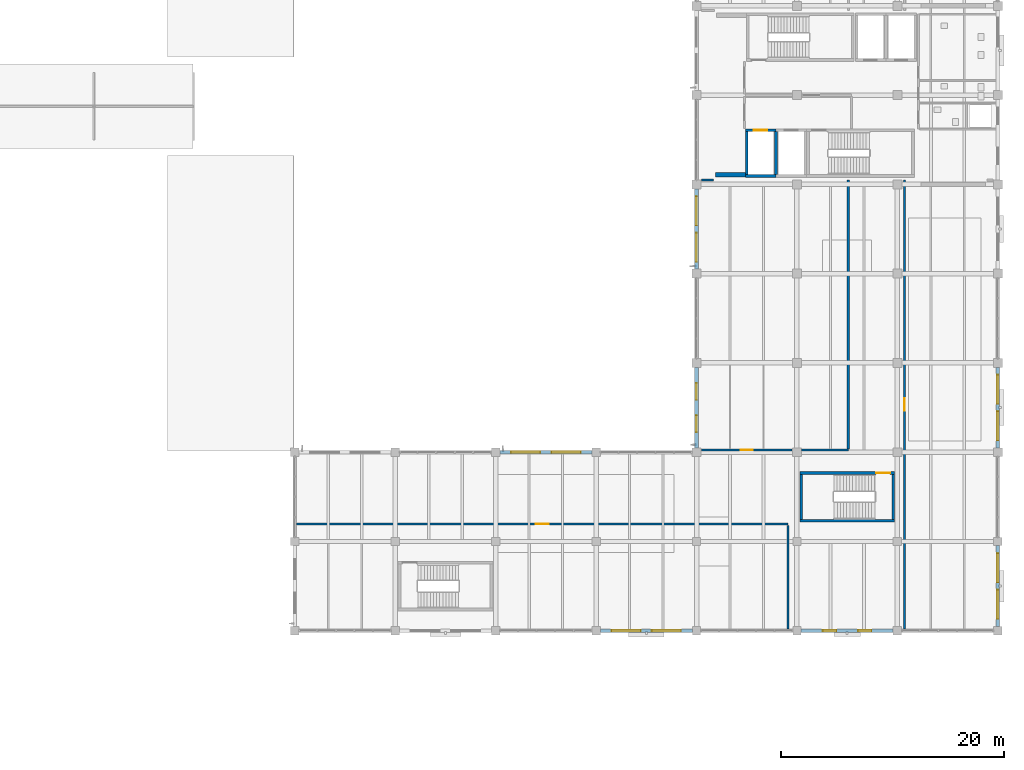
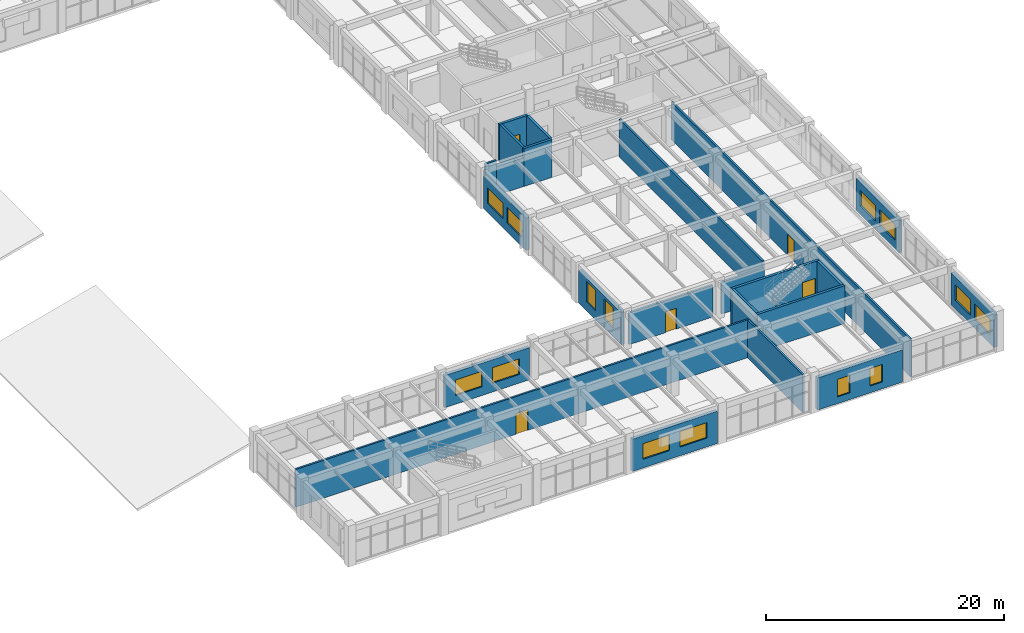
# One storey, part 128 of 148: 23 walls, 14 windows, 5 doors, 19 openings.
"""IFC4 building model written with IfcOpenShell, lengths in metres."""

import ifcopenshell
import ifcopenshell.guid

model = None  # the IFC model being written
_history = None  # IfcOwnerHistory: only IFC2X3 demands one
_inside = {}  # id of a spatial element -> (the spatial element, [elements in it])
_under = {}  # id of a project, library or spatial element -> (it, [spatial elements below it])
_declared = {}  # id of a project -> (the project, [libraries it declares])
_typed = {}  # id of a type object -> (the type object, [elements of that type])
_made_of = {}  # id of a material, layer set ... -> (it, [elements and type objects made of it])


def new_model(schema):
    """Start an empty IFC model of exactly this schema.

    Asked for "IFC4X3", IfcOpenShell would pick the latest addendum, in which some entities
    have other attributes; the version numbers below select the first issue.
    IFC2X3 requires an IfcOwnerHistory on every rooted entity: one is made here for all.
    """
    global model, _history
    if schema == "IFC4X3":
        model = ifcopenshell.file(schema_version=(4, 3, 0, 0))
    else:
        model = ifcopenshell.file(schema=schema)
    _inside.clear()
    _under.clear()
    _declared.clear()
    _typed.clear()
    _made_of.clear()
    _history = None
    if model.schema == "IFC2X3":
        org = make("IfcOrganization", Name="unknown")
        user = make(
            "IfcPersonAndOrganization",
            ThePerson=make("IfcPerson", FamilyName="unknown"),
            TheOrganization=org,
        )
        app = make(
            "IfcApplication",
            ApplicationDeveloper=org,
            Version="unknown",
            ApplicationFullName="unknown",
            ApplicationIdentifier="unknown",
        )
        _history = make(
            "IfcOwnerHistory",
            OwningUser=user,
            OwningApplication=app,
            ChangeAction="ADDED",
            CreationDate=0,
        )
    return model


def make(cls, **values):
    """One entity of the class cls with the attributes given. An attribute that is None is left unset."""
    return model.create_entity(
        cls, **{name: value for name, value in values.items() if value is not None}
    )


def rooted(cls, **values):
    """An entity with a GlobalId (a new one), such as an element, a storey or a relation."""
    return make(cls, GlobalId=ifcopenshell.guid.new(), OwnerHistory=_history, **values)


def si_unit(unit_type, name, prefix=None):
    """IfcSIUnit, for example si_unit("LENGTHUNIT", "METRE", prefix="MILLI")."""
    return make("IfcSIUnit", UnitType=unit_type, Prefix=prefix, Name=name)


def derived_unit(unit_type, elements):
    """IfcDerivedUnit: a product of units, each with its exponent."""
    return make(
        "IfcDerivedUnit",
        Elements=[
            make("IfcDerivedUnitElement", Unit=unit, Exponent=power)
            for unit, power in elements
        ],
        UnitType=unit_type,
    )


def assignment(units):
    """IfcUnitAssignment: the units of a project."""
    return None if units is None else make("IfcUnitAssignment", Units=units)


def point(xyz):
    """IfcCartesianPoint."""
    return None if xyz is None else make("IfcCartesianPoint", Coordinates=xyz)


def direction(xyz):
    """IfcDirection."""
    return None if xyz is None else make("IfcDirection", DirectionRatios=xyz)


def frame(location, z_axis=None, x_axis=None):
    """IfcAxis2Placement3D, a coordinate frame: its origin and axes. An axis left out is left unset."""
    return make(
        "IfcAxis2Placement3D",
        Location=point(location),
        Axis=direction(z_axis),
        RefDirection=direction(x_axis),
    )


def frame_2d(location, x_axis=None):
    """IfcAxis2Placement2D, a coordinate frame in the plane: its origin and x axis."""
    return make(
        "IfcAxis2Placement2D", Location=point(location), RefDirection=direction(x_axis)
    )


def origin():
    """The frame at (0, 0, 0) with its axes left unset."""
    return frame((0.0, 0.0, 0.0))


def place(relative_to, where):
    """IfcLocalPlacement: puts the frame where relative to a parent placement (None: the world)."""
    return make(
        "IfcLocalPlacement", PlacementRelTo=relative_to, RelativePlacement=where
    )


def context(
    kind, dimensions, precision=None, world=None, true_north=None, identifier=None
):
    """IfcGeometricRepresentationContext, for example the 3D "Model" context."""
    return make(
        "IfcGeometricRepresentationContext",
        ContextIdentifier=identifier,
        ContextType=kind,
        CoordinateSpaceDimension=dimensions,
        Precision=precision,
        WorldCoordinateSystem=world,
        TrueNorth=true_north,
    )


def subcontext(parent, identifier, kind, view, scale=None):
    """IfcGeometricRepresentationSubContext, for example "Body" below "Model"."""
    return make(
        "IfcGeometricRepresentationSubContext",
        ContextIdentifier=identifier,
        ContextType=kind,
        ParentContext=parent,
        TargetScale=scale,
        TargetView=view,
    )


def project(units=None, contexts=None):
    """IfcProject with its units and contexts."""
    return rooted(
        "IfcProject",
        Name="project",
        RepresentationContexts=contexts,
        UnitsInContext=assignment(units),
    )


def spatial(cls, under=None, at=None, **own):
    """A site, building, storey or space (cls), placed at a placement, below another one or the project."""
    s = rooted(cls, ObjectPlacement=at, **own)
    if under is not None:
        _under.setdefault(under.id(), (under, []))[1].append(s)
    return s


def profile(cls, at=None, kind="AREA", **sizes):
    """A parametric profile (cls). Its sizes go by their IFC names, for example OverallWidth=200.0."""
    return make(cls, ProfileType=kind, Position=at, **sizes)


def rectangle(**sizes):
    """IfcRectangleProfileDef."""
    return profile("IfcRectangleProfileDef", **sizes)


def extrude(swept, where, along, depth):
    """IfcExtrudedAreaSolid: the profile swept, set in the frame where, extruded along a direction by depth."""
    return make(
        "IfcExtrudedAreaSolid",
        SweptArea=swept,
        Position=where,
        ExtrudedDirection=direction(along),
        Depth=depth,
    )


def shape(context_of_items, identifier, shape_type, items):
    """IfcShapeRepresentation: the items that make up one representation, for example the "Body"."""
    return make(
        "IfcShapeRepresentation",
        ContextOfItems=context_of_items,
        RepresentationIdentifier=identifier,
        RepresentationType=shape_type,
        Items=items,
    )


def material(Name=None, Category=None):
    """IfcMaterial."""
    return make("IfcMaterial", Name=Name, Category=Category)


def layer(
    of_material, thickness, ventilated=None, Name=None, Category=None, Priority=None
):
    """IfcMaterialLayer: one layer of a wall or slab, of a material (None: an air gap)."""
    return make(
        "IfcMaterialLayer",
        Material=of_material,
        LayerThickness=thickness,
        IsVentilated=ventilated,
        Name=Name,
        Category=Category,
        Priority=Priority,
    )


def layer_set(layers, Name=None):
    """IfcMaterialLayerSet."""
    return make("IfcMaterialLayerSet", MaterialLayers=layers, LayerSetName=Name)


def made_of(thing, what):
    """Note that an element or type object is made of a material, layer set ...; save() writes the relation."""
    if what is not None:
        _made_of.setdefault(what.id(), (what, []))[1].append(thing)
    return thing


def type_object(cls, material=None, **own):
    """A type object (cls), such as IfcWallType, which elements share."""
    return made_of(rooted(cls, **own), material)


def element(
    cls,
    number,
    at=None,
    inside=None,
    cuts=None,
    type_object=None,
    material=None,
    context=None,
    identifier="Body",
    shape_type=None,
    held_by="IfcProductDefinitionShape",
    body=None,
    shapes=None,
    **own,
):
    """One element of the class cls, such as IfcWall. Its Tag is "e" and its number.

    at: its placement. inside: the storey or other place that contains it. cuts: it is an
    opening in that element (IfcRelVoidsElement). A single representation is given by context,
    identifier, shape_type and body (its items); several are given by shapes. held_by: the class
    of the entity that holds the representations. save() writes the other relations.
    """
    e = rooted(cls, Tag="e%d" % number, ObjectPlacement=at, **own)
    if body is not None:
        shapes = [shape(context, identifier, shape_type, body)]
    if shapes is not None:
        e.Representation = make(held_by, Representations=shapes)
    if inside is not None:
        _inside.setdefault(inside.id(), (inside, []))[1].append(e)
    if cuts is not None:
        rooted(
            "IfcRelVoidsElement", RelatingBuildingElement=cuts, RelatedOpeningElement=e
        )
    if type_object is not None:
        _typed.setdefault(type_object.id(), (type_object, []))[1].append(e)
    return made_of(e, material)


def fill(opening, filler):
    """IfcRelFillsElement: the door or window that sits in an opening."""
    return rooted(
        "IfcRelFillsElement",
        RelatingOpeningElement=opening,
        RelatedBuildingElement=filler,
    )


def aggregate(whole, parts):
    """IfcRelAggregates: a whole, such as a stair, and the parts it consists of."""
    return rooted("IfcRelAggregates", RelatingObject=whole, RelatedObjects=parts)


def save(model, path):
    """Write the relations noted so far, then the file.

    IfcRelAggregates (storeys below a building ...), IfcRelContainedInSpatialStructure (elements
    in a storey), IfcRelDefinesByType, IfcRelAssociatesMaterial and IfcRelDeclares: one each for
    every whole, place, type object, material and project.
    """
    for whole, parts in _under.values():
        aggregate(whole, parts)
    for where, things in _inside.values():
        rooted(
            "IfcRelContainedInSpatialStructure",
            RelatedElements=things,
            RelatingStructure=where,
        )
    for kind, things in _typed.values():
        rooted("IfcRelDefinesByType", RelatedObjects=things, RelatingType=kind)
    for what, things in _made_of.values():
        rooted("IfcRelAssociatesMaterial", RelatedObjects=things, RelatingMaterial=what)
    for by, libraries in _declared.values():
        rooted("IfcRelDeclares", RelatingContext=by, RelatedDefinitions=libraries)
    model.write(path)


model = new_model("IFC4")

# Units and contexts
model_context = context("Model", 3, precision=1e-05, world=origin(), true_north=direction((0.0, 1.0)))
body_context = subcontext(model_context, "Body", "Model", "MODEL_VIEW")
ifc_project = project(units=[si_unit("LENGTHUNIT", "METRE"), si_unit("AREAUNIT", "SQUARE_METRE"), si_unit("VOLUMEUNIT", "CUBIC_METRE"), si_unit("PLANEANGLEUNIT", "RADIAN"), si_unit("MASSUNIT", "GRAM", prefix="KILO"), derived_unit("THERMALTRANSMITTANCEUNIT", [(si_unit("MASSUNIT", "GRAM", prefix="KILO"), 1), (si_unit("TIMEUNIT", "SECOND"), -3), (si_unit("THERMODYNAMICTEMPERATUREUNIT", "KELVIN"), -1)])], contexts=[model_context])

# Site, building, storey
site_placement = place(None, origin())
site = spatial("IfcSite", under=ifc_project, at=site_placement, CompositionType="ELEMENT")
building_placement = place(site_placement, origin())
building = spatial("IfcBuilding", under=site, at=building_placement, Name="Zhenchuan Archway Interchange", CompositionType="ELEMENT")
storey_placement = place(building_placement, frame((0.0, 0.0, 10.199951171875)))
storey = spatial("IfcBuildingStorey", under=building, at=storey_placement, Name="L02", CompositionType="ELEMENT", Elevation=10.199951171875)

# Wall, openings, windows
ifc_material_1 = material(Name="Granite Stone Cladding", Category="masonry")
ifc_layer_1 = layer(ifc_material_1, 0.320068359375)
ifc_layer_set_1 = layer_set([ifc_layer_1], Name="Granite Stone Cladding")
wall_type_1 = type_object("IfcWallType", Name="EW_GRANITE_320", PredefinedType="STANDARD", material=ifc_layer_set_1)
wall_1_placement = place(storey_placement, frame((171.0, 31.60205078125, 0.0), z_axis=(0.0, 0.0, 1.0), x_axis=(0.0, -1.0, 0.0)))
wall_1 = element("IfcWall", 1, at=wall_1_placement, inside=storey, type_object=wall_type_1, Name="Exterior wall L02-095", PredefinedType="STANDARD", context=body_context, shape_type="SweptSolid", body=[
    extrude(rectangle(XDim=7.2041015625, YDim=0.320068359375, at=frame_2d((3.60205078125, 0.0))), origin(), (0.0, 0.0, 1.0), 3.320068359375),
])
opening_1_placement = place(wall_1_placement, frame((0.66796875, 0.0, 0.89990234375)))
opening_1 = element("IfcOpeningElement", 2, at=opening_1_placement, cuts=wall_1, Name="Opening W-09", PredefinedType="OPENING", context=body_context, shape_type="SweptSolid", body=[
    extrude(rectangle(XDim=2.60009765625, YDim=1.60009765625, at=frame_2d((1.300048828125, 0.800048828125))), frame((0.0, 0.171875, 0.0), z_axis=(0.0, -1.0, 0.0), x_axis=(1.0, 0.0, 0.0)), (0.0, 0.0, 1.0), 0.343994140625),
])
opening_2_placement = place(wall_1_placement, frame((3.93603515625, 0.0, 0.89990234375)))
opening_2 = element("IfcOpeningElement", 3, at=opening_2_placement, cuts=wall_1, Name="Opening W-09", PredefinedType="OPENING", context=body_context, shape_type="SweptSolid", body=[
    extrude(rectangle(XDim=2.60009765625, YDim=1.60009765625, at=frame_2d((1.300048828125, 0.800048828125))), frame((0.0, 0.171875, 0.0), z_axis=(0.0, -1.0, 0.0), x_axis=(1.0, 0.0, 0.0)), (0.0, 0.0, 1.0), 0.343994140625),
])
ifc_material_2 = material(Name="Double Low-E Insulated Glazing", Category="glass")
window_type_1 = type_object("IfcWindowType", Name="WN_MOD_2600x1600", PartitioningType="SINGLE_PANEL", PredefinedType="WINDOW", material=ifc_material_2)
window_1_placement = place(opening_1_placement, origin())
window_1 = element("IfcWindow", 4, at=window_1_placement, inside=storey, type_object=window_type_1, Name="Window L02-0242", OverallHeight=1.60009765625, OverallWidth=2.60009765625, PartitioningType="SINGLE_PANEL", PredefinedType="WINDOW", context=body_context, shape_type="SweptSolid", body=[
    extrude(rectangle(XDim=2.60009765625, YDim=1.60009765625, at=frame_2d((1.300048828125, 0.800048828125))), frame((0.0, 0.030029296875, 0.0), z_axis=(0.0, -1.0, 0.0), x_axis=(1.0, 0.0, 0.0)), (0.0, 0.0, 1.0), 0.06005859375),
])
fill(opening_1, window_1)
window_2_placement = place(opening_2_placement, origin())
window_2 = element("IfcWindow", 5, at=window_2_placement, inside=storey, type_object=window_type_1, Name="Window L02-0243", OverallHeight=1.60009765625, OverallWidth=2.60009765625, PartitioningType="SINGLE_PANEL", PredefinedType="WINDOW", context=body_context, shape_type="SweptSolid", body=[
    extrude(rectangle(XDim=2.60009765625, YDim=1.60009765625, at=frame_2d((1.300048828125, 0.800048828125))), frame((0.0, 0.030029296875, 0.0), z_axis=(0.0, -1.0, 0.0), x_axis=(1.0, 0.0, 0.0)), (0.0, 0.0, 1.0), 0.06005859375),
])
fill(opening_2, window_2)

wall_2_placement = place(storey_placement, frame((171.0, 15.626953125, 0.0), z_axis=(0.0, 0.0, 1.0), x_axis=(0.0, -1.0, 0.0)))
wall_2 = element("IfcWall", 6, at=wall_2_placement, inside=storey, type_object=wall_type_1, Name="Exterior wall L02-097", PredefinedType="STANDARD", context=body_context, shape_type="SweptSolid", body=[
    extrude(rectangle(XDim=7.25390625, YDim=0.320068359375, at=frame_2d((3.626953125, 0.0))), origin(), (0.0, 0.0, 1.0), 3.320068359375),
])
opening_3_placement = place(wall_2_placement, frame((0.684814453125, 0.0, 0.89990234375)))
opening_3 = element("IfcOpeningElement", 7, at=opening_3_placement, cuts=wall_2, Name="Opening W-09", PredefinedType="OPENING", context=body_context, shape_type="SweptSolid", body=[
    extrude(rectangle(XDim=2.60009765625, YDim=1.60009765625, at=frame_2d((1.300048828125, 0.800048828125))), frame((0.0, 0.171875, 0.0), z_axis=(0.0, -1.0, 0.0), x_axis=(1.0, 0.0, 0.0)), (0.0, 0.0, 1.0), 0.343994140625),
])
opening_4_placement = place(wall_2_placement, frame((3.96923828125, 0.0, 0.89990234375)))
opening_4 = element("IfcOpeningElement", 8, at=opening_4_placement, cuts=wall_2, Name="Opening W-09", PredefinedType="OPENING", context=body_context, shape_type="SweptSolid", body=[
    extrude(rectangle(XDim=2.60009765625, YDim=1.60009765625, at=frame_2d((1.300048828125, 0.800048828125))), frame((0.0, 0.171875, 0.0), z_axis=(0.0, -1.0, 0.0), x_axis=(1.0, 0.0, 0.0)), (0.0, 0.0, 1.0), 0.343994140625),
])
window_3_placement = place(opening_3_placement, origin())
window_3 = element("IfcWindow", 9, at=window_3_placement, inside=storey, type_object=window_type_1, Name="Window L02-0244", OverallHeight=1.60009765625, OverallWidth=2.60009765625, PartitioningType="SINGLE_PANEL", PredefinedType="WINDOW", context=body_context, shape_type="SweptSolid", body=[
    extrude(rectangle(XDim=2.60009765625, YDim=1.60009765625, at=frame_2d((1.300048828125, 0.800048828125))), frame((0.0, 0.030029296875, 0.0), z_axis=(0.0, -1.0, 0.0), x_axis=(1.0, 0.0, 0.0)), (0.0, 0.0, 1.0), 0.06005859375),
])
fill(opening_3, window_3)
window_4_placement = place(opening_4_placement, origin())
window_4 = element("IfcWindow", 10, at=window_4_placement, inside=storey, type_object=window_type_1, Name="Window L02-0245", OverallHeight=1.60009765625, OverallWidth=2.60009765625, PartitioningType="SINGLE_PANEL", PredefinedType="WINDOW", context=body_context, shape_type="SweptSolid", body=[
    extrude(rectangle(XDim=2.60009765625, YDim=1.60009765625, at=frame_2d((1.300048828125, 0.800048828125))), frame((0.0, 0.030029296875, 0.0), z_axis=(0.0, -1.0, 0.0), x_axis=(1.0, 0.0, 0.0)), (0.0, 0.0, 1.0), 0.06005859375),
])
fill(opening_4, window_4)

wall_3_placement = place(storey_placement, frame((161.626953125, 8.0, 0.0), z_axis=(0.0, 0.0, 1.0), x_axis=(-1.0, 0.0, 0.0)))
wall_3 = element("IfcWall", 11, at=wall_3_placement, inside=storey, type_object=wall_type_1, Name="Exterior wall L02-099", PredefinedType="STANDARD", context=body_context, shape_type="SweptSolid", body=[
    extrude(rectangle(XDim=8.25390625, YDim=0.320068359375, at=frame_2d((4.126953125, 0.0))), origin(), (0.0, 0.0, 1.0), 3.320068359375),
])
opening_5_placement = place(wall_3_placement, frame((1.951416015625, 0.0, 0.699951171875)))
opening_5 = element("IfcOpeningElement", 12, at=opening_5_placement, cuts=wall_3, Name="Opening W-07", PredefinedType="OPENING", context=body_context, shape_type="SweptSolid", body=[
    extrude(rectangle(XDim=1.199951171875, YDim=1.800048828125, at=frame_2d((0.60009765625, 0.89990234375))), frame((0.0, 0.171875, 0.0), z_axis=(0.0, -1.0, 0.0), x_axis=(1.0, 0.0, 0.0)), (0.0, 0.0, 1.0), 0.343994140625),
])
opening_6_placement = place(wall_3_placement, frame((5.102783203125, 0.0, 0.699951171875)))
opening_6 = element("IfcOpeningElement", 13, at=opening_6_placement, cuts=wall_3, Name="Opening W-07", PredefinedType="OPENING", context=body_context, shape_type="SweptSolid", body=[
    extrude(rectangle(XDim=1.199951171875, YDim=1.800048828125, at=frame_2d((0.60009765625, 0.89990234375))), frame((0.0, 0.171875, 0.0), z_axis=(0.0, -1.0, 0.0), x_axis=(1.0, 0.0, 0.0)), (0.0, 0.0, 1.0), 0.343994140625),
])
window_type_2 = type_object("IfcWindowType", Name="WN_MOD_1200x1800", PartitioningType="SINGLE_PANEL", PredefinedType="WINDOW", material=ifc_material_2)
window_5_placement = place(opening_5_placement, origin())
window_5 = element("IfcWindow", 14, at=window_5_placement, inside=storey, type_object=window_type_2, Name="Window L02-0246", OverallHeight=1.800048828125, OverallWidth=1.199951171875, PartitioningType="SINGLE_PANEL", PredefinedType="WINDOW", context=body_context, shape_type="SweptSolid", body=[
    extrude(rectangle(XDim=1.199951171875, YDim=1.800048828125, at=frame_2d((0.60009765625, 0.89990234375))), frame((0.0, 0.030029296875, 0.0), z_axis=(0.0, -1.0, 0.0), x_axis=(1.0, 0.0, 0.0)), (0.0, 0.0, 1.0), 0.06005859375),
])
fill(opening_5, window_5)
window_6_placement = place(opening_6_placement, origin())
window_6 = element("IfcWindow", 15, at=window_6_placement, inside=storey, type_object=window_type_2, Name="Window L02-0247", OverallHeight=1.800048828125, OverallWidth=1.199951171875, PartitioningType="SINGLE_PANEL", PredefinedType="WINDOW", context=body_context, shape_type="SweptSolid", body=[
    extrude(rectangle(XDim=1.199951171875, YDim=1.800048828125, at=frame_2d((0.60009765625, 0.89990234375))), frame((0.0, 0.030029296875, 0.0), z_axis=(0.0, -1.0, 0.0), x_axis=(1.0, 0.0, 0.0)), (0.0, 0.0, 1.0), 0.06005859375),
])
fill(opening_6, window_6)

wall_4_placement = place(storey_placement, frame((143.626953125, 8.0, 0.0), z_axis=(0.0, 0.0, 1.0), x_axis=(-1.0, 0.0, 0.0)))
wall_4 = element("IfcWall", 16, at=wall_4_placement, inside=storey, type_object=wall_type_1, Name="Exterior wall L02-101", PredefinedType="STANDARD", context=body_context, shape_type="SweptSolid", body=[
    extrude(rectangle(XDim=8.25390625, YDim=0.320068359375, at=frame_2d((4.126953125, 0.0))), origin(), (0.0, 0.0, 1.0), 3.320068359375),
])
opening_7_placement = place(wall_4_placement, frame((1.01806640625, 0.0, 0.89990234375)))
opening_7 = element("IfcOpeningElement", 17, at=opening_7_placement, cuts=wall_4, Name="Opening W-09", PredefinedType="OPENING", context=body_context, shape_type="SweptSolid", body=[
    extrude(rectangle(XDim=2.60009765625, YDim=1.60009765625, at=frame_2d((1.300048828125, 0.800048828125))), frame((0.0, 0.171875, 0.0), z_axis=(0.0, -1.0, 0.0), x_axis=(1.0, 0.0, 0.0)), (0.0, 0.0, 1.0), 0.343994140625),
])
opening_8_placement = place(wall_4_placement, frame((4.635986328125, 0.0, 0.89990234375)))
opening_8 = element("IfcOpeningElement", 18, at=opening_8_placement, cuts=wall_4, Name="Opening W-09", PredefinedType="OPENING", context=body_context, shape_type="SweptSolid", body=[
    extrude(rectangle(XDim=2.60009765625, YDim=1.60009765625, at=frame_2d((1.300048828125, 0.800048828125))), frame((0.0, 0.171875, 0.0), z_axis=(0.0, -1.0, 0.0), x_axis=(1.0, 0.0, 0.0)), (0.0, 0.0, 1.0), 0.343994140625),
])
window_7_placement = place(opening_7_placement, origin())
window_7 = element("IfcWindow", 19, at=window_7_placement, inside=storey, type_object=window_type_1, Name="Window L02-0248", OverallHeight=1.60009765625, OverallWidth=2.60009765625, PartitioningType="SINGLE_PANEL", PredefinedType="WINDOW", context=body_context, shape_type="SweptSolid", body=[
    extrude(rectangle(XDim=2.60009765625, YDim=1.60009765625, at=frame_2d((1.300048828125, 0.800048828125))), frame((0.0, 0.030029296875, 0.0), z_axis=(0.0, -1.0, 0.0), x_axis=(1.0, 0.0, 0.0)), (0.0, 0.0, 1.0), 0.06005859375),
])
fill(opening_7, window_7)
window_8_placement = place(opening_8_placement, origin())
window_8 = element("IfcWindow", 20, at=window_8_placement, inside=storey, type_object=window_type_1, Name="Window L02-0249", OverallHeight=1.60009765625, OverallWidth=2.60009765625, PartitioningType="SINGLE_PANEL", PredefinedType="WINDOW", context=body_context, shape_type="SweptSolid", body=[
    extrude(rectangle(XDim=2.60009765625, YDim=1.60009765625, at=frame_2d((1.300048828125, 0.800048828125))), frame((0.0, 0.030029296875, 0.0), z_axis=(0.0, -1.0, 0.0), x_axis=(1.0, 0.0, 0.0)), (0.0, 0.0, 1.0), 0.06005859375),
])
fill(opening_8, window_8)

wall_5_placement = place(storey_placement, frame((126.373046875, 24.0, 0.0), z_axis=(0.0, 0.0, 1.0), x_axis=(1.0, 0.0, 0.0)))
wall_5 = element("IfcWall", 21, at=wall_5_placement, inside=storey, type_object=wall_type_1, Name="Exterior wall L02-109", PredefinedType="STANDARD", context=body_context, shape_type="SweptSolid", body=[
    extrude(rectangle(XDim=8.25390625, YDim=0.320068359375, at=frame_2d((4.126953125, 0.0))), origin(), (0.0, 0.0, 1.0), 3.320068359375),
])
opening_9_placement = place(wall_5_placement, frame((1.01806640625, 0.0, 0.89990234375)))
opening_9 = element("IfcOpeningElement", 22, at=opening_9_placement, cuts=wall_5, Name="Opening W-09", PredefinedType="OPENING", context=body_context, shape_type="SweptSolid", body=[
    extrude(rectangle(XDim=2.60009765625, YDim=1.60009765625, at=frame_2d((1.300048828125, 0.800048828125))), frame((0.0, 0.171875, 0.0), z_axis=(0.0, -1.0, 0.0), x_axis=(1.0, 0.0, 0.0)), (0.0, 0.0, 1.0), 0.343994140625),
])
opening_10_placement = place(wall_5_placement, frame((4.635986328125, 0.0, 0.89990234375)))
opening_10 = element("IfcOpeningElement", 23, at=opening_10_placement, cuts=wall_5, Name="Opening W-09", PredefinedType="OPENING", context=body_context, shape_type="SweptSolid", body=[
    extrude(rectangle(XDim=2.60009765625, YDim=1.60009765625, at=frame_2d((1.300048828125, 0.800048828125))), frame((0.0, 0.171875, 0.0), z_axis=(0.0, -1.0, 0.0), x_axis=(1.0, 0.0, 0.0)), (0.0, 0.0, 1.0), 0.343994140625),
])
window_9_placement = place(opening_9_placement, origin())
window_9 = element("IfcWindow", 24, at=window_9_placement, inside=storey, type_object=window_type_1, Name="Window L02-0256", OverallHeight=1.60009765625, OverallWidth=2.60009765625, PartitioningType="SINGLE_PANEL", PredefinedType="WINDOW", context=body_context, shape_type="SweptSolid", body=[
    extrude(rectangle(XDim=2.60009765625, YDim=1.60009765625, at=frame_2d((1.300048828125, 0.800048828125))), frame((0.0, 0.030029296875, 0.0), z_axis=(0.0, -1.0, 0.0), x_axis=(1.0, 0.0, 0.0)), (0.0, 0.0, 1.0), 0.06005859375),
])
fill(opening_9, window_9)
window_10_placement = place(opening_10_placement, origin())
window_10 = element("IfcWindow", 25, at=window_10_placement, inside=storey, type_object=window_type_1, Name="Window L02-0257", OverallHeight=1.60009765625, OverallWidth=2.60009765625, PartitioningType="SINGLE_PANEL", PredefinedType="WINDOW", context=body_context, shape_type="SweptSolid", body=[
    extrude(rectangle(XDim=2.60009765625, YDim=1.60009765625, at=frame_2d((1.300048828125, 0.800048828125))), frame((0.0, 0.030029296875, 0.0), z_axis=(0.0, -1.0, 0.0), x_axis=(1.0, 0.0, 0.0)), (0.0, 0.0, 1.0), 0.06005859375),
])
fill(opening_10, window_10)

wall_6_placement = place(storey_placement, frame((144.0, 24.39794921875, 0.0), z_axis=(0.0, 0.0, 1.0), x_axis=(0.0, 1.0, 0.0)))
wall_6 = element("IfcWall", 26, at=wall_6_placement, inside=storey, type_object=wall_type_1, Name="Exterior wall L02-111", PredefinedType="STANDARD", context=body_context, shape_type="SweptSolid", body=[
    extrude(rectangle(XDim=7.2041015625, YDim=0.320068359375, at=frame_2d((3.60205078125, 0.0))), origin(), (0.0, 0.0, 1.0), 3.320068359375),
])
opening_11_placement = place(wall_6_placement, frame((1.4013671875, 0.0, 0.89990234375)))
opening_11 = element("IfcOpeningElement", 27, at=opening_11_placement, cuts=wall_6, Name="Opening W-05", PredefinedType="OPENING", context=body_context, shape_type="SweptSolid", body=[
    extrude(rectangle(XDim=1.5, YDim=2.10009765625, at=frame_2d((0.75, 1.050048828125))), frame((0.0, 0.171875, 0.0), z_axis=(0.0, -1.0, 0.0), x_axis=(1.0, 0.0, 0.0)), (0.0, 0.0, 1.0), 0.343994140625),
])
opening_12_placement = place(wall_6_placement, frame((4.302734375, 0.0, 0.89990234375)))
opening_12 = element("IfcOpeningElement", 28, at=opening_12_placement, cuts=wall_6, Name="Opening W-05", PredefinedType="OPENING", context=body_context, shape_type="SweptSolid", body=[
    extrude(rectangle(XDim=1.5, YDim=2.10009765625, at=frame_2d((0.75, 1.050048828125))), frame((0.0, 0.171875, 0.0), z_axis=(0.0, -1.0, 0.0), x_axis=(1.0, 0.0, 0.0)), (0.0, 0.0, 1.0), 0.343994140625),
])
window_type_3 = type_object("IfcWindowType", Name="WN_PUNCH_1500x2100", PartitioningType="SINGLE_PANEL", PredefinedType="WINDOW", material=ifc_material_2)
window_11_placement = place(opening_11_placement, origin())
window_11 = element("IfcWindow", 29, at=window_11_placement, inside=storey, type_object=window_type_3, Name="Window L02-0258", OverallHeight=2.10009765625, OverallWidth=1.5, PartitioningType="SINGLE_PANEL", PredefinedType="WINDOW", context=body_context, shape_type="SweptSolid", body=[
    extrude(rectangle(XDim=1.5, YDim=2.10009765625, at=frame_2d((0.75, 1.050048828125))), frame((0.0, 0.030029296875, 0.0), z_axis=(0.0, -1.0, 0.0), x_axis=(1.0, 0.0, 0.0)), (0.0, 0.0, 1.0), 0.06005859375),
])
fill(opening_11, window_11)
window_12_placement = place(opening_12_placement, origin())
window_12 = element("IfcWindow", 30, at=window_12_placement, inside=storey, type_object=window_type_3, Name="Window L02-0259", OverallHeight=2.10009765625, OverallWidth=1.5, PartitioningType="SINGLE_PANEL", PredefinedType="WINDOW", context=body_context, shape_type="SweptSolid", body=[
    extrude(rectangle(XDim=1.5, YDim=2.10009765625, at=frame_2d((0.75, 1.050048828125))), frame((0.0, 0.030029296875, 0.0), z_axis=(0.0, -1.0, 0.0), x_axis=(1.0, 0.0, 0.0)), (0.0, 0.0, 1.0), 0.06005859375),
])
fill(opening_12, window_12)

wall_7_placement = place(storey_placement, frame((144.0, 40.39794921875, 0.0), z_axis=(0.0, 0.0, 1.0), x_axis=(0.0, 1.0, 0.0)))
wall_7 = element("IfcWall", 31, at=wall_7_placement, inside=storey, type_object=wall_type_1, Name="Exterior wall L02-113", PredefinedType="STANDARD", context=body_context, shape_type="SweptSolid", body=[
    extrude(rectangle(XDim=7.2041015625, YDim=0.320068359375, at=frame_2d((3.60205078125, 0.0))), origin(), (0.0, 0.0, 1.0), 3.320068359375),
])
opening_13_placement = place(wall_7_placement, frame((0.66796875, 0.0, 0.89990234375)))
opening_13 = element("IfcOpeningElement", 32, at=opening_13_placement, cuts=wall_7, Name="Opening W-09", PredefinedType="OPENING", context=body_context, shape_type="SweptSolid", body=[
    extrude(rectangle(XDim=2.60009765625, YDim=1.60009765625, at=frame_2d((1.300048828125, 0.800048828125))), frame((0.0, 0.171875, 0.0), z_axis=(0.0, -1.0, 0.0), x_axis=(1.0, 0.0, 0.0)), (0.0, 0.0, 1.0), 0.343994140625),
])
opening_14_placement = place(wall_7_placement, frame((3.93603515625, 0.0, 0.89990234375)))
opening_14 = element("IfcOpeningElement", 33, at=opening_14_placement, cuts=wall_7, Name="Opening W-09", PredefinedType="OPENING", context=body_context, shape_type="SweptSolid", body=[
    extrude(rectangle(XDim=2.60009765625, YDim=1.60009765625, at=frame_2d((1.300048828125, 0.800048828125))), frame((0.0, 0.171875, 0.0), z_axis=(0.0, -1.0, 0.0), x_axis=(1.0, 0.0, 0.0)), (0.0, 0.0, 1.0), 0.343994140625),
])
window_13_placement = place(opening_13_placement, origin())
window_13 = element("IfcWindow", 34, at=window_13_placement, inside=storey, type_object=window_type_1, Name="Window L02-0260", OverallHeight=1.60009765625, OverallWidth=2.60009765625, PartitioningType="SINGLE_PANEL", PredefinedType="WINDOW", context=body_context, shape_type="SweptSolid", body=[
    extrude(rectangle(XDim=2.60009765625, YDim=1.60009765625, at=frame_2d((1.300048828125, 0.800048828125))), frame((0.0, 0.030029296875, 0.0), z_axis=(0.0, -1.0, 0.0), x_axis=(1.0, 0.0, 0.0)), (0.0, 0.0, 1.0), 0.06005859375),
])
fill(opening_13, window_13)
window_14_placement = place(opening_14_placement, origin())
window_14 = element("IfcWindow", 35, at=window_14_placement, inside=storey, type_object=window_type_1, Name="Window L02-0261", OverallHeight=1.60009765625, OverallWidth=2.60009765625, PartitioningType="SINGLE_PANEL", PredefinedType="WINDOW", context=body_context, shape_type="SweptSolid", body=[
    extrude(rectangle(XDim=2.60009765625, YDim=1.60009765625, at=frame_2d((1.300048828125, 0.800048828125))), frame((0.0, 0.030029296875, 0.0), z_axis=(0.0, -1.0, 0.0), x_axis=(1.0, 0.0, 0.0)), (0.0, 0.0, 1.0), 0.06005859375),
])
fill(opening_14, window_14)

# Wall
ifc_material_3 = material(Name="Concrete C50", Category="concrete")
ifc_layer_2 = layer(ifc_material_3, 0.3798828125)
ifc_layer_set_2 = layer_set([ifc_layer_2], Name="Concrete C50")
wall_type_2 = type_object("IfcWallType", Name="WL_CORE_380", PredefinedType="SHEAR", material=ifc_layer_set_2)
wall_8_placement = place(storey_placement, frame((145.679931640625, 48.85498046875, 0.0), z_axis=(0.0, 0.0, 1.0), x_axis=(1.0, 0.0, 0.0)))
element("IfcWall", 36, at=wall_8_placement, inside=storey, type_object=wall_type_2, Name="Operations lateral shear wall W-S (L02)", PredefinedType="SHEAR", context=body_context, shape_type="SweptSolid", body=[
    extrude(rectangle(XDim=2.699951171875, YDim=0.3798828125, at=frame_2d((1.35009765625, 0.0))), origin(), (0.0, 0.0, 1.0), 2.93994140625),
])

# Wall, opening, door
ifc_material_4 = material(Name="Autoclaved Aerated Concrete Block", Category="concrete")
ifc_layer_3 = layer(ifc_material_4, 0.199951171875)
ifc_layer_set_3 = layer_set([ifc_layer_3], Name="Autoclaved Aerated Concrete Block")
wall_type_3 = type_object("IfcWallType", Name="WL_FIRE_200", PredefinedType="STANDARD", material=ifc_layer_set_3)
wall_9_placement = place(storey_placement, frame((144.425048828125, 24.199951171875, 0.0), z_axis=(0.0, 0.0, 1.0), x_axis=(1.0, 0.0, 0.0)))
wall_9 = element("IfcWall", 37, at=wall_9_placement, inside=storey, type_object=wall_type_3, Name="Technical Engineering Drawings Archive S partition (L02)", PredefinedType="STANDARD", context=body_context, shape_type="SweptSolid", body=[
    extrude(rectangle(XDim=8.14990234375, YDim=0.199951171875, at=frame_2d((4.074951171875, 0.0))), origin(), (0.0, 0.0, 1.0), 3.27001953125),
])
opening_15_placement = place(wall_9_placement, frame((3.550048828125, 0.0, 0.0)))
opening_15 = element("IfcOpeningElement", 38, at=opening_15_placement, cuts=wall_9, Name="Opening FD-03", PredefinedType="OPENING", context=body_context, shape_type="SweptSolid", body=[
    extrude(rectangle(XDim=1.050048828125, YDim=2.14990234375, at=frame_2d((0.52490234375, 1.074951171875))), frame((0.0, 0.11181640625, 0.0), z_axis=(0.0, -1.0, 0.0), x_axis=(1.0, 0.0, 0.0)), (0.0, 0.0, 1.0), 0.223876953125),
])
ifc_material_5 = material(Name="Painted Galvanised Steel", Category="steel")
door_type_1 = type_object("IfcDoorType", Name="DR_PLANT_FD60_S", OperationType="NOTDEFINED", PredefinedType="DOOR", material=ifc_material_5)
door_1_placement = place(opening_15_placement, origin())
door_1 = element("IfcDoor", 39, at=door_1_placement, inside=storey, type_object=door_type_1, Name="Technical Engineering Drawings Archive door (L02)", OperationType="SINGLE_SWING_LEFT", OverallHeight=2.14990234375, OverallWidth=1.050048828125, PredefinedType="DOOR", context=body_context, shape_type="SweptSolid", body=[
    extrude(rectangle(XDim=1.050048828125, YDim=2.14990234375, at=frame_2d((0.52490234375, 1.074951171875))), frame((0.0, 0.02490234375, 0.0), z_axis=(0.0, -1.0, 0.0), x_axis=(1.0, 0.0, 0.0)), (0.0, 0.0, 1.0), 0.050048828125),
])
fill(opening_15, door_1)

# Walls
wall_10_placement = place(storey_placement, frame((153.425048828125, 24.199951171875, 0.0), z_axis=(0.0, 0.0, 1.0), x_axis=(1.0, 0.0, 0.0)))
element("IfcWall", 40, at=wall_10_placement, inside=storey, type_object=wall_type_3, Name="Technical Engineering Drawings Archive S partition (L02)", PredefinedType="STANDARD", context=body_context, shape_type="SweptSolid", body=[
    extrude(rectangle(XDim=4.175048828125, YDim=0.199951171875, at=frame_2d((2.08740234375, 0.0))), origin(), (0.0, 0.0, 1.0), 3.27001953125),
])
wall_11_placement = place(storey_placement, frame((144.425048828125, 48.39990234375, 0.0), z_axis=(0.0, 0.0, 1.0), x_axis=(1.0, 0.0, 0.0)))
element("IfcWall", 41, at=wall_11_placement, inside=storey, type_object=wall_type_3, Name="Technical Engineering Drawings Archive N partition (L02)", PredefinedType="STANDARD", context=body_context, shape_type="SweptSolid", body=[
    extrude(rectangle(XDim=1.10498046875, YDim=0.199951171875, at=frame_2d((0.552490234375, 0.0))), origin(), (0.0, 0.0, 1.0), 3.89013671875),
])
wall_12_placement = place(storey_placement, frame((157.60009765625, 24.31005859375, 0.0), z_axis=(0.0, 0.0, 1.0), x_axis=(0.0, 1.0, 0.0)))
element("IfcWall", 42, at=wall_12_placement, inside=storey, type_object=wall_type_3, Name="Technical Engineering Drawings Archive E partition (L02)", PredefinedType="STANDARD", context=body_context, shape_type="SweptSolid", body=[
    extrude(rectangle(XDim=24.08984375, YDim=0.199951171875, at=frame_2d((12.044921875, 0.0))), origin(), (0.0, 0.0, 1.0), 3.89013671875),
])
ifc_material_6 = material(Name="Concrete C40", Category="concrete")
ifc_layer_4 = layer(ifc_material_6, 0.239990234375)
ifc_layer_set_4 = layer_set([ifc_layer_4], Name="Concrete C40")
wall_type_4 = type_object("IfcWallType", Name="WL_LIFT_240", PredefinedType="SHEAR", material=ifc_layer_set_4)
wall_13_placement = place(storey_placement, frame((148.3798828125, 48.75, 0.0), z_axis=(0.0, 0.0, 1.0), x_axis=(1.0, 0.0, 0.0)))
element("IfcWall", 43, at=wall_13_placement, inside=storey, type_object=wall_type_4, Name="Lift LF-08 south shaft wall (L02)", PredefinedType="SHEAR", context=body_context, shape_type="SweptSolid", body=[
    extrude(rectangle(XDim=2.740234375, YDim=0.239990234375, at=frame_2d((1.3701171875, 0.0))), origin(), (0.0, 0.0, 1.0), 3.89013671875),
])

# Wall, opening, door
wall_14_placement = place(storey_placement, frame((151.1201171875, 52.85009765625, 0.0), z_axis=(0.0, 0.0, 1.0), x_axis=(-1.0, 0.0, 0.0)))
wall_14 = element("IfcWall", 44, at=wall_14_placement, inside=storey, type_object=wall_type_4, Name="Lift LF-08 north shaft wall (L02)", PredefinedType="SHEAR", context=body_context, shape_type="SweptSolid", body=[
    extrude(rectangle(XDim=2.740234375, YDim=0.239990234375, at=frame_2d((1.3701171875, 0.0))), origin(), (0.0, 0.0, 1.0), 3.89013671875),
])
opening_16_placement = place(wall_14_placement, frame((0.77001953125, 0.0, 0.0)))
opening_16 = element("IfcOpeningElement", 45, at=opening_16_placement, cuts=wall_14, Name="Opening LD-02", PredefinedType="OPENING", context=body_context, shape_type="SweptSolid", body=[
    extrude(rectangle(XDim=1.199951171875, YDim=2.199951171875, at=frame_2d((0.60009765625, 1.10009765625))), frame((0.0, 0.1318359375, 0.0), z_axis=(0.0, -1.0, 0.0), x_axis=(1.0, 0.0, 0.0)), (0.0, 0.0, 1.0), 0.263916015625),
])
ifc_material_7 = material(Name="Stainless Steel 304", Category="steel")
door_type_2 = type_object("IfcDoorType", Name="DR_LIFT_LD120", OperationType="DOUBLE_DOOR_SLIDING", PredefinedType="DOOR", material=ifc_material_7)
door_2_placement = place(opening_16_placement, origin())
door_2 = element("IfcDoor", 46, at=door_2_placement, inside=storey, type_object=door_type_2, Name="Lift LF-08 landing door (L02)", OperationType="DOUBLE_DOOR_SLIDING", OverallHeight=2.199951171875, OverallWidth=1.199951171875, PredefinedType="DOOR", context=body_context, shape_type="SweptSolid", body=[
    extrude(rectangle(XDim=1.199951171875, YDim=2.199951171875, at=frame_2d((0.60009765625, 1.10009765625))), frame((0.0, 0.02490234375, 0.0), z_axis=(0.0, -1.0, 0.0), x_axis=(1.0, 0.0, 0.0)), (0.0, 0.0, 1.0), 0.050048828125),
])
fill(opening_16, door_2)

# Walls
for number, where, z_axis, x_axis, name in (
    (47, (148.5, 52.72998046875, 0.0), (0.0, 0.0, 1.0), (0.0, -1.0, 0.0), "Lift LF-08 west shaft wall (L02)"),
    (48, (151.1201171875, 48.8701171875, 0.0), (0.0, 0.0, 1.0), (0.0, 1.0, 0.0), "Lift LF-08 east shaft wall (L02)"),
):
    element("IfcWall", number, at=place(storey_placement, frame(where, z_axis=z_axis, x_axis=x_axis)), inside=storey, type_object=wall_type_4, Name=name, PredefinedType="SHEAR", context=body_context, shape_type="SweptSolid", body=[
        extrude(rectangle(XDim=3.85986328125, YDim=0.239990234375, at=frame_2d((1.929931640625, 0.0))), origin(), (0.0, 0.0, 1.0), 3.89013671875),
    ])

# Wall, opening, door
ifc_material_8 = material(Name="Concrete Block Masonry", Category="masonry")
ifc_layer_5 = layer(ifc_material_8, 0.179931640625)
ifc_layer_set_5 = layer_set([ifc_layer_5], Name="Concrete Block Masonry")
wall_type_5 = type_object("IfcWallType", Name="WL_PART_180", PredefinedType="STANDARD", material=ifc_layer_set_5)
wall_15_placement = place(storey_placement, frame((108.175048828125, 17.550048828125, 0.0), z_axis=(0.0, 0.0, 1.0), x_axis=(1.0, 0.0, 0.0)))
wall_15 = element("IfcWall", 49, at=wall_15_placement, inside=storey, type_object=wall_type_5, Name="Rail Systems Maintenance Suite N partition (L02)", PredefinedType="STANDARD", context=body_context, shape_type="SweptSolid", body=[
    extrude(rectangle(XDim=44.02490234375, YDim=0.179931640625, at=frame_2d((22.012451171875, 0.0))), origin(), (0.0, 0.0, 1.0), 3.89013671875),
])
opening_17_placement = place(wall_15_placement, frame((21.425048828125, 0.0, 0.0)))
opening_17 = element("IfcOpeningElement", 50, at=opening_17_placement, cuts=wall_15, Name="Opening ID-06", PredefinedType="OPENING", context=body_context, shape_type="SweptSolid", body=[
    extrude(rectangle(XDim=1.14990234375, YDim=2.14990234375, at=frame_2d((0.574951171875, 1.074951171875))), frame((0.0, 0.10205078125, 0.0), z_axis=(0.0, -1.0, 0.0), x_axis=(1.0, 0.0, 0.0)), (0.0, 0.0, 1.0), 0.203857421875),
])
ifc_material_9 = material(Name="Hardwood Timber", Category="wood")
door_type_3 = type_object("IfcDoorType", Name="DR_CTRL_115", OperationType="NOTDEFINED", PredefinedType="DOOR", material=ifc_material_9)
door_3_placement = place(opening_17_placement, origin())
door_3 = element("IfcDoor", 51, at=door_3_placement, inside=storey, type_object=door_type_3, Name="Rail Systems Maintenance Suite door (L02)", OperationType="SINGLE_SWING_LEFT", OverallHeight=2.14990234375, OverallWidth=1.14990234375, PredefinedType="DOOR", context=body_context, shape_type="SweptSolid", body=[
    extrude(rectangle(XDim=1.14990234375, YDim=2.14990234375, at=frame_2d((0.574951171875, 1.074951171875))), frame((0.0, 0.02490234375, 0.0), z_axis=(0.0, -1.0, 0.0), x_axis=(1.0, 0.0, 0.0)), (0.0, 0.0, 1.0), 0.050048828125),
])
fill(opening_17, door_3)

# Wall
wall_16_placement = place(storey_placement, frame((152.199951171875, 8.175048828125, 0.0), z_axis=(0.0, 0.0, 1.0), x_axis=(0.0, 1.0, 0.0)))
element("IfcWall", 52, at=wall_16_placement, inside=storey, type_object=wall_type_5, Name="Rail Systems Maintenance Suite E partition (L02)", PredefinedType="STANDARD", context=body_context, shape_type="SweptSolid", body=[
    extrude(rectangle(XDim=9.27490234375, YDim=0.179931640625, at=frame_2d((4.637451171875, 0.0))), origin(), (0.0, 0.0, 1.0), 3.89013671875),
])

# Wall, opening, door
wall_17_placement = place(storey_placement, frame((162.64990234375, 8.175048828125, 0.0), z_axis=(0.0, 0.0, 1.0), x_axis=(0.0, 1.0, 0.0)))
wall_17 = element("IfcWall", 53, at=wall_17_placement, inside=storey, type_object=wall_type_5, Name="Rolling Stock Telemetry Diagnostics Lab W partition (L02)", PredefinedType="STANDARD", context=body_context, shape_type="SweptSolid", body=[
    extrude(rectangle(XDim=40.224853515625, YDim=0.179931640625, at=frame_2d((20.1123046875, 0.0))), origin(), (0.0, 0.0, 1.0), 3.89013671875),
])
opening_18_placement = place(wall_17_placement, frame((19.52490234375, 0.0, 0.0)))
opening_18 = element("IfcOpeningElement", 54, at=opening_18_placement, cuts=wall_17, Name="Opening ID-06", PredefinedType="OPENING", context=body_context, shape_type="SweptSolid", body=[
    extrude(rectangle(XDim=1.14990234375, YDim=2.14990234375, at=frame_2d((0.574951171875, 1.074951171875))), frame((0.0, 0.10205078125, 0.0), z_axis=(0.0, -1.0, 0.0), x_axis=(1.0, 0.0, 0.0)), (0.0, 0.0, 1.0), 0.203857421875),
])
door_4_placement = place(opening_18_placement, origin())
door_4 = element("IfcDoor", 55, at=door_4_placement, inside=storey, type_object=door_type_3, Name="Rolling Stock Telemetry Diagnostics Lab door (L02)", OperationType="SINGLE_SWING_LEFT", OverallHeight=2.14990234375, OverallWidth=1.14990234375, PredefinedType="DOOR", context=body_context, shape_type="SweptSolid", body=[
    extrude(rectangle(XDim=1.14990234375, YDim=2.14990234375, at=frame_2d((0.574951171875, 1.074951171875))), frame((0.0, 0.02490234375, 0.0), z_axis=(0.0, -1.0, 0.0), x_axis=(1.0, 0.0, 0.0)), (0.0, 0.0, 1.0), 0.050048828125),
])
fill(opening_18, door_4)

# Wall
ifc_layer_6 = layer(ifc_material_6, 0.25)
ifc_layer_set_6 = layer_set([ifc_layer_6], Name="Concrete C40")
wall_type_6 = type_object("IfcWallType", Name="WL_STAIR_250", PredefinedType="SHEAR", material=ifc_layer_set_6)
wall_18_placement = place(storey_placement, frame((153.2548828125, 17.85009765625, 0.0), z_axis=(0.0, 0.0, 1.0), x_axis=(1.0, 0.0, 0.0)))
element("IfcWall", 56, at=wall_18_placement, inside=storey, type_object=wall_type_6, Name="Stair ST-O4 south wall (L02)", PredefinedType="SHEAR", context=body_context, shape_type="SweptSolid", body=[
    extrude(rectangle(XDim=8.490234375, YDim=0.25, at=frame_2d((4.2451171875, 0.0))), origin(), (0.0, 0.0, 1.0), 3.89013671875),
])

# Wall, opening, door
wall_19_placement = place(storey_placement, frame((161.7451171875, 22.14990234375, 0.0), z_axis=(0.0, 0.0, 1.0), x_axis=(-1.0, 0.0, 0.0)))
wall_19 = element("IfcWall", 57, at=wall_19_placement, inside=storey, type_object=wall_type_6, Name="Stair ST-O4 north wall (L02)", PredefinedType="SHEAR", context=body_context, shape_type="SweptSolid", body=[
    extrude(rectangle(XDim=8.490234375, YDim=0.25, at=frame_2d((4.2451171875, 0.0))), origin(), (0.0, 0.0, 1.0), 3.89013671875),
])
opening_19_placement = place(wall_19_placement, frame((0.39501953125, 0.0, 0.0)))
opening_19 = element("IfcOpeningElement", 58, at=opening_19_placement, cuts=wall_19, Name="Opening FD-01", PredefinedType="OPENING", context=body_context, shape_type="SweptSolid", body=[
    extrude(rectangle(XDim=1.25, YDim=2.14990234375, at=frame_2d((0.625, 1.074951171875))), frame((0.0, 0.136962890625, 0.0), z_axis=(0.0, -1.0, 0.0), x_axis=(1.0, 0.0, 0.0)), (0.0, 0.0, 1.0), 0.27392578125),
])
door_type_4 = type_object("IfcDoorType", Name="DR_STAIR_FD90", OperationType="NOTDEFINED", PredefinedType="DOOR", material=ifc_material_5)
door_5_placement = place(opening_19_placement, origin())
door_5 = element("IfcDoor", 59, at=door_5_placement, inside=storey, type_object=door_type_4, Name="Stair ST-O4 fire door (L02)", OperationType="SINGLE_SWING_RIGHT", OverallHeight=2.14990234375, OverallWidth=1.25, PredefinedType="DOOR", context=body_context, shape_type="SweptSolid", body=[
    extrude(rectangle(XDim=1.25, YDim=2.14990234375, at=frame_2d((0.625, 1.074951171875))), frame((0.0, 0.02490234375, 0.0), z_axis=(0.0, -1.0, 0.0), x_axis=(1.0, 0.0, 0.0)), (0.0, 0.0, 1.0), 0.050048828125),
])
fill(opening_19, door_5)

# Walls
for number, where, z_axis, x_axis, name in (
    (60, (153.3798828125, 22.02490234375, 0.0), (0.0, 0.0, 1.0), (0.0, -1.0, 0.0), "Stair ST-O4 west wall (L02)"),
    (61, (161.6201171875, 17.97509765625, 0.0), (0.0, 0.0, 1.0), (0.0, 1.0, 0.0), "Stair ST-O4 east wall (L02)"),
):
    element("IfcWall", number, at=place(storey_placement, frame(where, z_axis=z_axis, x_axis=x_axis)), inside=storey, type_object=wall_type_6, Name=name, PredefinedType="SHEAR", context=body_context, shape_type="SweptSolid", body=[
        extrude(rectangle(XDim=4.0498046875, YDim=0.25, at=frame_2d((2.02490234375, 0.0))), origin(), (0.0, 0.0, 1.0), 3.89013671875),
    ])

save(model, "model.ifc")
